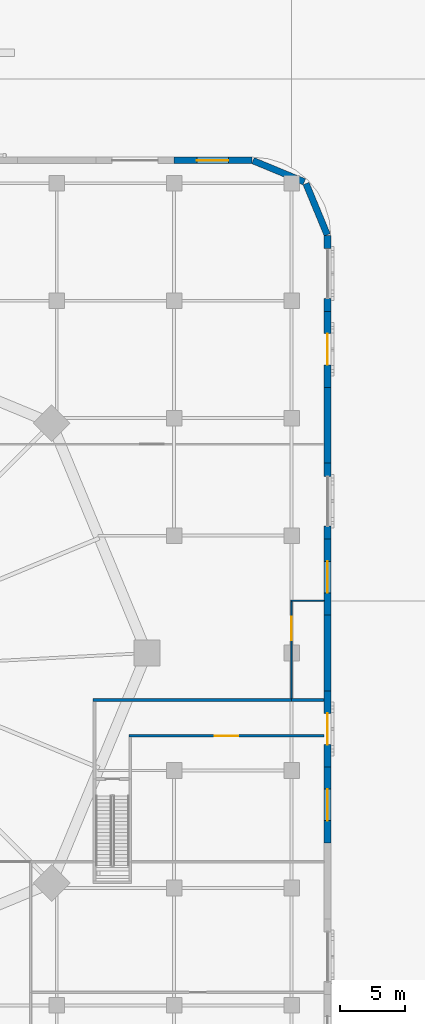
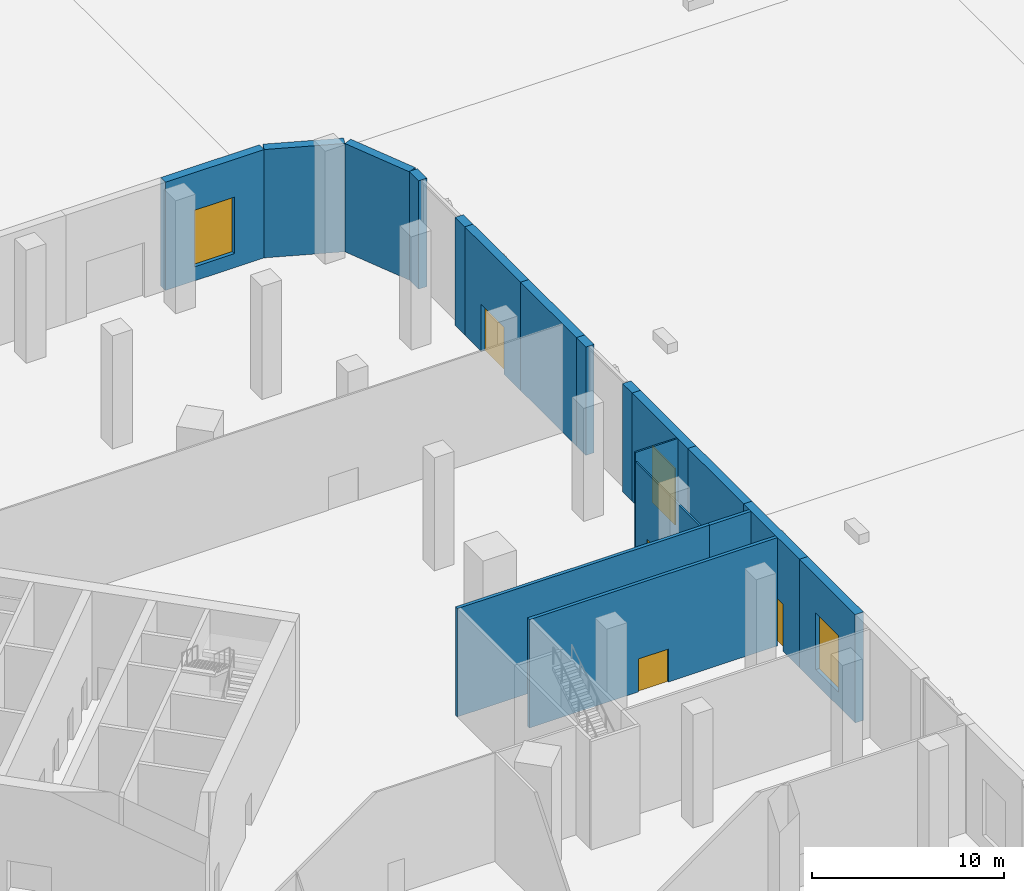
# One storey, part 32 of 48: 18 walls, 4 doors, 3 windows, 7 openings.
"""IFC4 building model written with IfcOpenShell, lengths in metres."""

from ifc_helpers import new_model, si_unit, direction, frame, frame_2d, origin, place, context, subcontext, project, spatial, rectangle, extrude, material, layer, layer_set, type_object, element, fill, save


model = new_model("IFC4")

# Units and contexts
model_context = context("Model", 3, precision=1e-05, world=origin(), true_north=direction((0.0, 1.0)))
body_context = subcontext(model_context, "Body", "Model", "MODEL_VIEW")
ifc_project = project(units=[si_unit("LENGTHUNIT", "METRE"), si_unit("AREAUNIT", "SQUARE_METRE"), si_unit("VOLUMEUNIT", "CUBIC_METRE"), si_unit("PLANEANGLEUNIT", "RADIAN"), si_unit("MASSUNIT", "GRAM", prefix="KILO")], contexts=[model_context])

# Site, building, storey
site_placement = place(None, origin())
site = spatial("IfcSite", under=ifc_project, at=site_placement, CompositionType="ELEMENT")
building_placement = place(site_placement, origin())
building = spatial("IfcBuilding", under=site, at=building_placement, Name="Ogive Gate Towers", CompositionType="ELEMENT")
storey_placement = place(building_placement, origin())
storey = spatial("IfcBuildingStorey", under=building, at=storey_placement, Name="L00", CompositionType="ELEMENT", Elevation=0.0)

# Wall, opening, window
ifc_material_1 = material(Name="Precast concrete C40/50", Category="concrete")
ifc_layer_1 = layer(ifc_material_1, 0.5)
ifc_layer_set_1 = layer_set([ifc_layer_1], Name="Arcade wall 500")
wall_type_1 = type_object("IfcWallType", Name="Arcade wall 500", PredefinedType="SOLIDWALL", material=ifc_layer_set_1)
wall_1_placement = place(storey_placement, frame((74.75, -14.54541015625, 0.0), z_axis=(0.0, 0.0, 1.0), x_axis=(0.0, 1.0, 0.0)))
wall_1 = element("IfcWall", 1, at=wall_1_placement, inside=storey, type_object=wall_type_1, Name="Podium wall", PredefinedType="SOLIDWALL", context=body_context, shape_type="SweptSolid", body=[
    extrude(rectangle(XDim=5.818115234375, YDim=0.5, at=frame_2d((2.9091796875, 0.0))), origin(), (0.0, 0.0, 1.0), 6.89990234375),
])
opening_1_placement = place(wall_1_placement, frame((1.708984375, 0.0, 0.89990234375)))
opening_1 = element("IfcOpeningElement", 2, at=opening_1_placement, cuts=wall_1, Name="Opening WN4", PredefinedType="OPENING", context=body_context, shape_type="SweptSolid", body=[
    extrude(rectangle(XDim=2.39990234375, YDim=3.60009765625, at=frame_2d((1.199951171875, 1.800048828125))), frame((0.0, 0.260009765625, 0.0), z_axis=(0.0, -1.0, 0.0), x_axis=(1.0, 0.0, 0.0)), (0.0, 0.0, 1.0), 0.52001953125),
])
ifc_material_2 = material(Name="Clear glass", Category="glass")
window_type = type_object("IfcWindowType", Name="Arcade window 2400 x 3600", PartitioningType="SINGLE_PANEL", PredefinedType="WINDOW", material=ifc_material_2)
window_1_placement = place(opening_1_placement, origin())
window_1 = element("IfcWindow", 3, at=window_1_placement, inside=storey, type_object=window_type, Name="Podium window", OverallHeight=3.60009765625, OverallWidth=2.39990234375, PartitioningType="SINGLE_PANEL", PredefinedType="WINDOW", context=body_context, shape_type="SweptSolid", body=[
    extrude(rectangle(XDim=2.39990234375, YDim=3.60009765625, at=frame_2d((1.199951171875, 1.800048828125))), frame((0.0, 0.030029296875, 0.0), z_axis=(0.0, -1.0, 0.0), x_axis=(1.0, 0.0, 0.0)), (0.0, 0.0, 1.0), 0.06005859375),
])
fill(opening_1, window_1)

# Wall, opening, door
wall_2_placement = place(storey_placement, frame((74.75, -8.727294921875, 0.0), z_axis=(0.0, 0.0, 1.0), x_axis=(0.0, 1.0, 0.0)))
wall_2 = element("IfcWall", 4, at=wall_2_placement, inside=storey, type_object=wall_type_1, Name="Podium wall", PredefinedType="SOLIDWALL", context=body_context, shape_type="SweptSolid", body=[
    extrude(rectangle(XDim=5.818115234375, YDim=0.5, at=frame_2d((2.9091796875, 0.0))), origin(), (0.0, 0.0, 1.0), 6.89990234375),
])
opening_2_placement = place(wall_2_placement, frame((1.708984375, 0.0, 0.0)))
opening_2 = element("IfcOpeningElement", 5, at=opening_2_placement, cuts=wall_2, Name="Opening ED2-L00-01", PredefinedType="OPENING", context=body_context, shape_type="SweptSolid", body=[
    extrude(rectangle(XDim=2.39990234375, YDim=3.0, at=frame_2d((1.199951171875, 1.5))), frame((0.0, 0.260009765625, 0.0), z_axis=(0.0, -1.0, 0.0), x_axis=(1.0, 0.0, 0.0)), (0.0, 0.0, 1.0), 0.52001953125),
])
ifc_material_3 = material(Name="Pale metal aluminium", Category="aluminium")
door_type_1 = type_object("IfcDoorType", Name="Entrance door 2400 x 3000", OperationType="DOUBLE_DOOR_SINGLE_SWING", PredefinedType="DOOR", material=ifc_material_3)
door_1_placement = place(opening_2_placement, origin())
door_1 = element("IfcDoor", 6, at=door_1_placement, inside=storey, type_object=door_type_1, Name="Exterior door", OperationType="SINGLE_SWING_LEFT", OverallHeight=3.0, OverallWidth=2.39990234375, PredefinedType="DOOR", context=body_context, shape_type="SweptSolid", body=[
    extrude(rectangle(XDim=2.39990234375, YDim=3.0, at=frame_2d((1.199951171875, 1.5))), frame((0.0, 0.02490234375, 0.0), z_axis=(0.0, -1.0, 0.0), x_axis=(1.0, 0.0, 0.0)), (0.0, 0.0, 1.0), 0.050048828125),
])
fill(opening_2, door_1)

# Wall
wall_3_placement = place(storey_placement, frame((74.75, -2.9091796875, 0.0), z_axis=(0.0, 0.0, 1.0), x_axis=(0.0, 1.0, 0.0)))
element("IfcWall", 7, at=wall_3_placement, inside=storey, type_object=wall_type_1, Name="Podium wall", PredefinedType="SOLIDWALL", context=body_context, shape_type="SweptSolid", body=[
    extrude(rectangle(XDim=5.818359375, YDim=0.5, at=frame_2d((2.9091796875, 0.0))), origin(), (0.0, 0.0, 1.0), 6.89990234375),
])

# Wall, opening, window
wall_4_placement = place(storey_placement, frame((74.75, 2.9091796875, 0.0), z_axis=(0.0, 0.0, 1.0), x_axis=(0.0, 1.0, 0.0)))
wall_4 = element("IfcWall", 8, at=wall_4_placement, inside=storey, type_object=wall_type_1, Name="Podium wall", PredefinedType="SOLIDWALL", context=body_context, shape_type="SweptSolid", body=[
    extrude(rectangle(XDim=5.818115234375, YDim=0.5, at=frame_2d((2.9091796875, 0.0))), origin(), (0.0, 0.0, 1.0), 6.89990234375),
])
opening_3_placement = place(wall_4_placement, frame((1.708984375, 0.0, 0.89990234375)))
opening_3 = element("IfcOpeningElement", 9, at=opening_3_placement, cuts=wall_4, Name="Opening WN4", PredefinedType="OPENING", context=body_context, shape_type="SweptSolid", body=[
    extrude(rectangle(XDim=2.39990234375, YDim=3.60009765625, at=frame_2d((1.199951171875, 1.800048828125))), frame((0.0, 0.260009765625, 0.0), z_axis=(0.0, -1.0, 0.0), x_axis=(1.0, 0.0, 0.0)), (0.0, 0.0, 1.0), 0.52001953125),
])
window_2_placement = place(opening_3_placement, origin())
window_2 = element("IfcWindow", 10, at=window_2_placement, inside=storey, type_object=window_type, Name="Podium window", OverallHeight=3.60009765625, OverallWidth=2.39990234375, PartitioningType="SINGLE_PANEL", PredefinedType="WINDOW", context=body_context, shape_type="SweptSolid", body=[
    extrude(rectangle(XDim=2.39990234375, YDim=3.60009765625, at=frame_2d((1.199951171875, 1.800048828125))), frame((0.0, 0.030029296875, 0.0), z_axis=(0.0, -1.0, 0.0), x_axis=(1.0, 0.0, 0.0)), (0.0, 0.0, 1.0), 0.06005859375),
])
fill(opening_3, window_2)

# Walls
for number, where, z_axis, x_axis, name in (
    (11, (74.75, 8.727294921875, 0.0), (0.0, 0.0, 1.0), (0.0, 1.0, 0.0), "Podium wall"),
    (12, (74.75, 13.54541015625, 0.0), (0.0, 0.0, 1.0), (0.0, 1.0, 0.0), "Podium wall"),
):
    element("IfcWall", number, at=place(storey_placement, frame(where, z_axis=z_axis, x_axis=x_axis)), inside=storey, type_object=wall_type_1, Name=name, PredefinedType="SOLIDWALL", context=body_context, shape_type="SweptSolid", body=[
        extrude(rectangle(XDim=1.0, YDim=0.5, at=frame_2d((0.5, 0.0))), origin(), (0.0, 0.0, 1.0), 6.89990234375),
    ])
wall_5_placement = place(storey_placement, frame((74.75, 14.54541015625, 0.0), z_axis=(0.0, 0.0, 1.0), x_axis=(0.0, 1.0, 0.0)))
element("IfcWall", 13, at=wall_5_placement, inside=storey, type_object=wall_type_1, Name="Podium wall", PredefinedType="SOLIDWALL", context=body_context, shape_type="SweptSolid", body=[
    extrude(rectangle(XDim=5.818115234375, YDim=0.5, at=frame_2d((2.9091796875, 0.0))), origin(), (0.0, 0.0, 1.0), 6.89990234375),
])

# Wall, opening, door
wall_6_placement = place(storey_placement, frame((74.75, 20.363525390625, 0.0), z_axis=(0.0, 0.0, 1.0), x_axis=(0.0, 1.0, 0.0)))
wall_6 = element("IfcWall", 14, at=wall_6_placement, inside=storey, type_object=wall_type_1, Name="Podium wall", PredefinedType="SOLIDWALL", context=body_context, shape_type="SweptSolid", body=[
    extrude(rectangle(XDim=5.818359375, YDim=0.5, at=frame_2d((2.9091796875, 0.0))), origin(), (0.0, 0.0, 1.0), 6.89990234375),
])
opening_4_placement = place(wall_6_placement, frame((1.708984375, 0.0, 0.0)))
opening_4 = element("IfcOpeningElement", 15, at=opening_4_placement, cuts=wall_6, Name="Opening ED2-L00-02", PredefinedType="OPENING", context=body_context, shape_type="SweptSolid", body=[
    extrude(rectangle(XDim=2.39990234375, YDim=3.0, at=frame_2d((1.199951171875, 1.5))), frame((0.0, 0.260009765625, 0.0), z_axis=(0.0, -1.0, 0.0), x_axis=(1.0, 0.0, 0.0)), (0.0, 0.0, 1.0), 0.52001953125),
])
door_2_placement = place(opening_4_placement, origin())
door_2 = element("IfcDoor", 16, at=door_2_placement, inside=storey, type_object=door_type_1, Name="Exterior door", OperationType="SINGLE_SWING_LEFT", OverallHeight=3.0, OverallWidth=2.39990234375, PredefinedType="DOOR", context=body_context, shape_type="SweptSolid", body=[
    extrude(rectangle(XDim=2.39990234375, YDim=3.0, at=frame_2d((1.199951171875, 1.5))), frame((0.0, 0.02490234375, 0.0), z_axis=(0.0, -1.0, 0.0), x_axis=(1.0, 0.0, 0.0)), (0.0, 0.0, 1.0), 0.050048828125),
])
fill(opening_4, door_2)

# Walls
for number, where, z_axis, x_axis, name in (
    (17, (74.75, 26.181884765625, 0.0), (0.0, 0.0, 1.0), (0.0, 1.0, 0.0), "Podium wall"),
    (18, (74.75, 31.0, 0.0), (0.0, 0.0, 1.0), (0.0, 1.0, 0.0), "Podium wall"),
):
    element("IfcWall", number, at=place(storey_placement, frame(where, z_axis=z_axis, x_axis=x_axis)), inside=storey, type_object=wall_type_1, Name=name, PredefinedType="SOLIDWALL", context=body_context, shape_type="SweptSolid", body=[
        extrude(rectangle(XDim=1.0, YDim=0.5, at=frame_2d((0.5, 0.0))), origin(), (0.0, 0.0, 1.0), 6.89990234375),
    ])
for number, where, z_axis, x_axis, name in (
    (19, (74.73095703125, 32.0458984375, 0.0), (0.0, 0.0, 1.0), (-0.382680056994, 0.923880930628, 0.0), "Podium wall"),
    (20, (72.97021484375, 36.10546875, 0.0), (0.0, 0.0, 1.0), (-0.923880930628, 0.382680056994, 0.0), "Podium wall"),
):
    element("IfcWall", number, at=place(storey_placement, frame(where, z_axis=z_axis, x_axis=x_axis)), inside=storey, type_object=wall_type_1, Name=name, PredefinedType="SOLIDWALL", context=body_context, shape_type="SweptSolid", body=[
        extrude(rectangle(XDim=4.24755859375, YDim=0.5, at=frame_2d((2.123779296875, 0.0))), origin(), (0.0, 0.0, 1.0), 6.89990234375),
    ])

# Wall, opening, window
wall_7_placement = place(storey_placement, frame((68.9501953125, 37.75, 0.0), z_axis=(0.0, 0.0, 1.0), x_axis=(-1.0, 0.0, 0.0)))
wall_7 = element("IfcWall", 21, at=wall_7_placement, inside=storey, type_object=wall_type_1, Name="Podium wall", PredefinedType="SOLIDWALL", context=body_context, shape_type="SweptSolid", body=[
    extrude(rectangle(XDim=5.9501953125, YDim=0.5, at=frame_2d((2.97509765625, 0.0))), origin(), (0.0, 0.0, 1.0), 6.89990234375),
])
opening_5_placement = place(wall_7_placement, frame((1.800048828125, 0.0, 0.89990234375)))
opening_5 = element("IfcOpeningElement", 22, at=opening_5_placement, cuts=wall_7, Name="Opening WN4", PredefinedType="OPENING", context=body_context, shape_type="SweptSolid", body=[
    extrude(rectangle(XDim=2.39990234375, YDim=3.60009765625, at=frame_2d((1.199951171875, 1.800048828125))), frame((0.0, 0.260009765625, 0.0), z_axis=(0.0, -1.0, 0.0), x_axis=(1.0, 0.0, 0.0)), (0.0, 0.0, 1.0), 0.52001953125),
])
window_3_placement = place(opening_5_placement, origin())
window_3 = element("IfcWindow", 23, at=window_3_placement, inside=storey, type_object=window_type, Name="Podium window", OverallHeight=3.60009765625, OverallWidth=2.39990234375, PartitioningType="SINGLE_PANEL", PredefinedType="WINDOW", context=body_context, shape_type="SweptSolid", body=[
    extrude(rectangle(XDim=2.39990234375, YDim=3.60009765625, at=frame_2d((1.199951171875, 1.800048828125))), frame((0.0, 0.030029296875, 0.0), z_axis=(0.0, -1.0, 0.0), x_axis=(1.0, 0.0, 0.0)), (0.0, 0.0, 1.0), 0.06005859375),
])
fill(opening_5, window_3)

# Wall
ifc_material_4 = material(Name="Gypsum board partition")
ifc_layer_2 = layer(ifc_material_4, 0.10009765625)
ifc_layer_set_2 = layer_set([ifc_layer_2], Name="Partition wall 100")
wall_type_2 = type_object("IfcWallType", Name="Partition wall 100", PredefinedType="PARTITIONING", material=ifc_layer_set_2)
wall_8_placement = place(storey_placement, frame((71.949951171875, 4.0, 0.0), z_axis=(0.0, 0.0, 1.0), x_axis=(1.0, 0.0, 0.0)))
element("IfcWall", 24, at=wall_8_placement, inside=storey, type_object=wall_type_2, Name="L00 partition 051", PredefinedType="PARTITIONING", context=body_context, shape_type="SweptSolid", body=[
    extrude(rectangle(XDim=2.550048828125, YDim=0.10009765625, at=frame_2d((1.27490234375, 0.0))), origin(), (0.0, 0.0, 1.0), 6.89990234375),
])

# Wall, opening, door
wall_9_placement = place(storey_placement, frame((72.0, -3.5, 0.0), z_axis=(0.0, 0.0, 1.0), x_axis=(0.0, 1.0, 0.0)))
wall_9 = element("IfcWall", 25, at=wall_9_placement, inside=storey, type_object=wall_type_2, Name="L00 partition 052", PredefinedType="PARTITIONING", context=body_context, shape_type="SweptSolid", body=[
    extrude(rectangle(XDim=7.449951171875, YDim=0.10009765625, at=frame_2d((3.72509765625, 0.0))), origin(), (0.0, 0.0, 1.0), 6.300048828125),
])
opening_6_placement = place(wall_9_placement, frame((4.46630859375, 0.0, 0.0)))
opening_6 = element("IfcOpeningElement", 26, at=opening_6_placement, cuts=wall_9, Name="Opening PO113", PredefinedType="OPENING", context=body_context, shape_type="SweptSolid", body=[
    extrude(rectangle(XDim=1.800048828125, YDim=2.10009765625, at=frame_2d((0.89990234375, 1.050048828125))), frame((0.0, 0.06005859375, 0.0), z_axis=(0.0, -1.0, 0.0), x_axis=(1.0, 0.0, 0.0)), (0.0, 0.0, 1.0), 0.1201171875),
])
ifc_material_5 = material(Name="Timber door", Category="wood")
door_type_2 = type_object("IfcDoorType", Name="Double door 1800 x 2100", OperationType="NOTDEFINED", PredefinedType="DOOR", material=ifc_material_5)
door_3_placement = place(opening_6_placement, origin())
door_3 = element("IfcDoor", 27, at=door_3_placement, inside=storey, type_object=door_type_2, Name="Door PO113", OperationType="DOUBLE_DOOR_DOUBLE_SWING", OverallHeight=2.10009765625, OverallWidth=1.800048828125, PredefinedType="DOOR", context=body_context, shape_type="SweptSolid", body=[
    extrude(rectangle(XDim=1.800048828125, YDim=2.10009765625, at=frame_2d((0.89990234375, 1.050048828125))), frame((0.0, 0.02490234375, 0.0), z_axis=(0.0, -1.0, 0.0), x_axis=(1.0, 0.0, 0.0)), (0.0, 0.0, 1.0), 0.050048828125),
])
fill(opening_6, door_3)

# Walls
ifc_material_6 = material(Name="Masonry block wall", Category="masonry")
ifc_layer_3 = layer(ifc_material_6, 0.199951171875)
ifc_layer_set_3 = layer_set([ifc_layer_3], Name="Partition wall 200")
wall_type_3 = type_object("IfcWallType", Name="Partition wall 200", PredefinedType="PARTITIONING", material=ifc_layer_set_3)
wall_10_placement = place(storey_placement, frame((72.0, -3.60009765625, 0.0), z_axis=(0.0, 0.0, 1.0), x_axis=(1.0, 0.0, 0.0)))
element("IfcWall", 28, at=wall_10_placement, inside=storey, type_object=wall_type_3, Name="L00 partition 018", PredefinedType="PARTITIONING", context=body_context, shape_type="SweptSolid", body=[
    extrude(rectangle(XDim=2.5, YDim=0.199951171875, at=frame_2d((1.25, 0.0))), origin(), (0.0, 0.0, 1.0), 6.89990234375),
])
wall_11_placement = place(storey_placement, frame((56.800048828125, -3.60009765625, 0.0), z_axis=(0.0, 0.0, 1.0), x_axis=(1.0, 0.0, 0.0)))
element("IfcWall", 29, at=wall_11_placement, inside=storey, type_object=wall_type_3, Name="L00 partition 019", PredefinedType="PARTITIONING", context=body_context, shape_type="SweptSolid", body=[
    extrude(rectangle(XDim=15.199951171875, YDim=0.199951171875, at=frame_2d((7.60009765625, 0.0))), origin(), (0.0, 0.0, 1.0), 6.89990234375),
])

# Wall, opening, door
wall_12_placement = place(storey_placement, frame((59.550048828125, -6.35009765625, 0.0), z_axis=(0.0, 0.0, 1.0), x_axis=(1.0, 0.0, 0.0)))
wall_12 = element("IfcWall", 30, at=wall_12_placement, inside=storey, type_object=wall_type_3, Name="L00 partition 021", PredefinedType="PARTITIONING", context=body_context, shape_type="SweptSolid", body=[
    extrude(rectangle(XDim=14.949951171875, YDim=0.199951171875, at=frame_2d((7.47509765625, 0.0))), origin(), (0.0, 0.0, 1.0), 6.89990234375),
])
opening_7_placement = place(wall_12_placement, frame((6.574951171875, 0.0, 0.0)))
opening_7 = element("IfcOpeningElement", 31, at=opening_7_placement, cuts=wall_12, Name="Opening PO131", PredefinedType="OPENING", context=body_context, shape_type="SweptSolid", body=[
    extrude(rectangle(XDim=1.800048828125, YDim=2.10009765625, at=frame_2d((0.89990234375, 1.050048828125))), frame((0.0, 0.10986328125, 0.0), z_axis=(0.0, -1.0, 0.0), x_axis=(1.0, 0.0, 0.0)), (0.0, 0.0, 1.0), 0.219970703125),
])
ifc_material_7 = material(Name="Steel fire door", Category="steel")
door_type_3 = type_object("IfcDoorType", Name="Interior fire double door FD120S 1800 x 2100", OperationType="NOTDEFINED", PredefinedType="DOOR", material=ifc_material_7)
door_4_placement = place(opening_7_placement, origin())
door_4 = element("IfcDoor", 32, at=door_4_placement, inside=storey, type_object=door_type_3, Name="Door PO131", OperationType="DOUBLE_DOOR_DOUBLE_SWING", OverallHeight=2.10009765625, OverallWidth=1.800048828125, PredefinedType="DOOR", context=body_context, shape_type="SweptSolid", body=[
    extrude(rectangle(XDim=1.800048828125, YDim=2.10009765625, at=frame_2d((0.89990234375, 1.050048828125))), frame((0.0, 0.02490234375, 0.0), z_axis=(0.0, -1.0, 0.0), x_axis=(1.0, 0.0, 0.0)), (0.0, 0.0, 1.0), 0.050048828125),
])
fill(opening_7, door_4)

save(model, "model.ifc")
